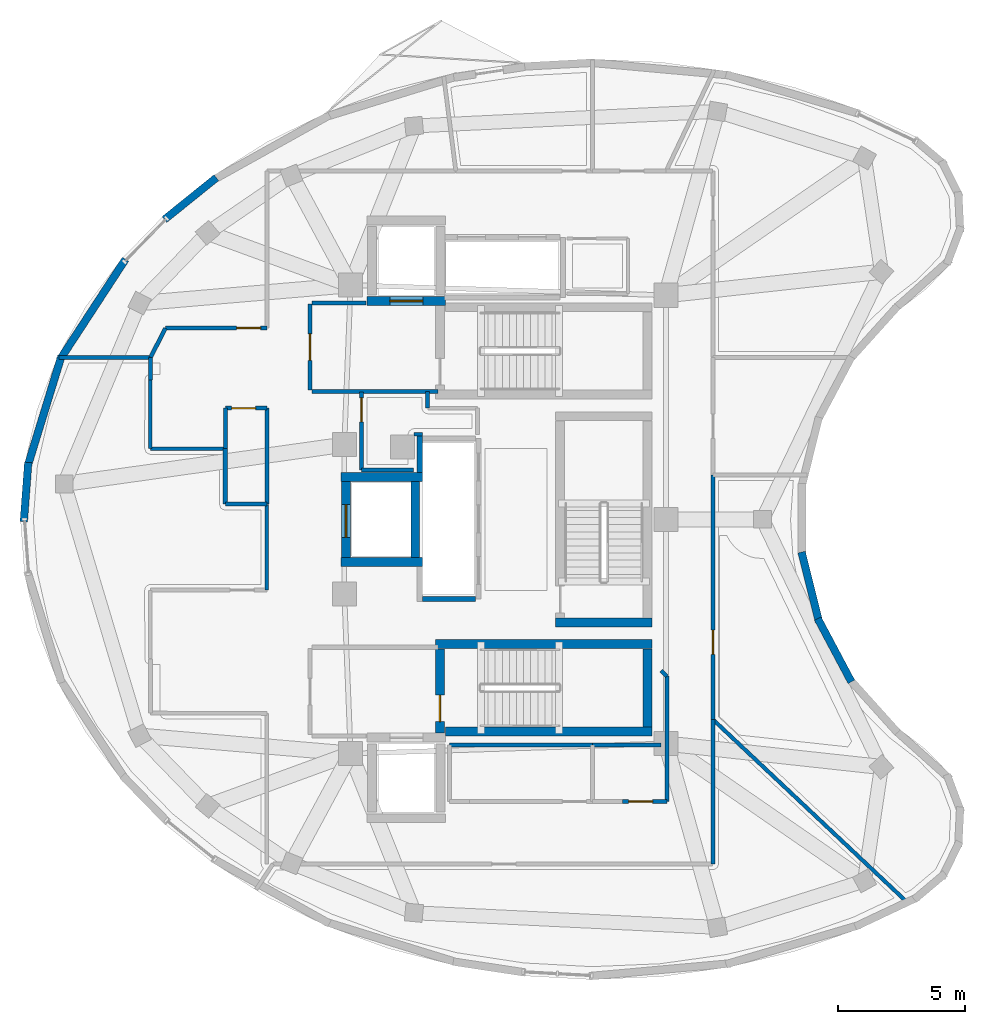
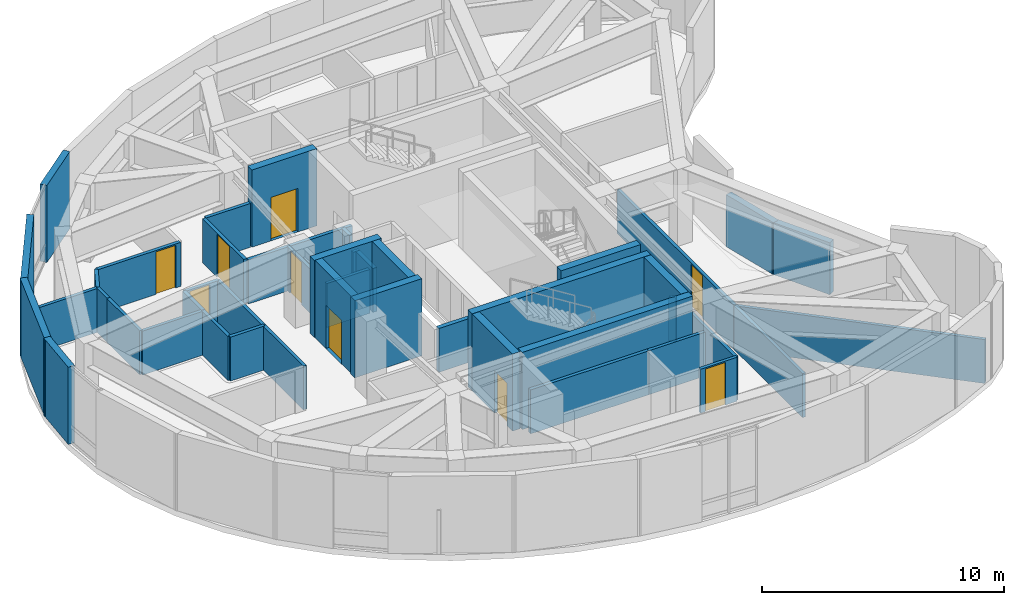
# One storey, part 4 of 8: 45 walls, 9 doors, 9 openings.
"""IFC4 building model written with IfcOpenShell, lengths in metres."""

from ifc_helpers import new_model, si_unit, direction, frame, frame_2d, origin, place, context, subcontext, project, spatial, rectangle, extrude, material, layer, layer_set, type_object, element, fill, save


model = new_model("IFC4")

# Units and contexts
model_context = context("Model", 3, precision=1e-05, world=origin(), true_north=direction((0.0, 1.0)))
body_context = subcontext(model_context, "Body", "Model", "MODEL_VIEW")
ifc_project = project(units=[si_unit("LENGTHUNIT", "METRE"), si_unit("AREAUNIT", "SQUARE_METRE"), si_unit("VOLUMEUNIT", "CUBIC_METRE"), si_unit("PLANEANGLEUNIT", "RADIAN"), si_unit("MASSUNIT", "GRAM", prefix="KILO")], contexts=[model_context])

# Site, building, storey
site_placement = place(None, origin())
site = spatial("IfcSite", under=ifc_project, at=site_placement, CompositionType="ELEMENT")
building_placement = place(site_placement, origin())
building = spatial("IfcBuilding", under=site, at=building_placement, Name="Korentha Bioscience Tower", CompositionType="ELEMENT")
storey_placement = place(building_placement, frame((0.0, 0.0, 314.39990234375)))
storey = spatial("IfcBuildingStorey", under=building, at=storey_placement, Name="L72", CompositionType="ELEMENT", Elevation=314.39990234375)

# Wall, opening, door
ifc_material_1 = material(Name="Double-Stud Acoustic Gypsum", Category="gypsum")
ifc_layer_1 = layer(ifc_material_1, 0.14990234375, Name="Double-Stud Acoustic Gypsum")
ifc_layer_set_1 = layer_set([ifc_layer_1], Name="Double-Stud Acoustic Gypsum (IW-L150)")
wall_type_1 = type_object("IfcWallType", Name="Acoustic Laboratory Partition Wall 150", PredefinedType="PARTITIONING", material=ifc_layer_set_1)
wall_1_placement = place(storey_placement, frame((37.590087890625, 15.860107421875, 0.0), z_axis=(0.0, 0.0, 1.0), x_axis=(-1.0, 0.0, 0.0)))
wall_1 = element("IfcWall", 1, at=wall_1_placement, inside=storey, type_object=wall_type_1, Name="L72 Principal Investigator Office 04 Entrance Wall", PredefinedType="PARTITIONING", context=body_context, shape_type="SweptSolid", body=[
    extrude(rectangle(XDim=1.75, YDim=0.14990234375, at=frame_2d((0.875, 0.0))), origin(), (0.0, 0.0, 1.0), 2.22021484375),
])
opening_1_placement = place(wall_1_placement, frame((0.56005859375, 0.0, 0.0)))
opening_1 = element("IfcOpeningElement", 2, at=opening_1_placement, cuts=wall_1, Name="Opening ID-10R", PredefinedType="OPENING", context=body_context, shape_type="SweptSolid", body=[
    extrude(rectangle(XDim=0.949951171875, YDim=2.14990234375, at=frame_2d((0.47509765625, 1.074951171875))), frame((0.0, 0.08984375, 0.0), z_axis=(0.0, -1.0, 0.0), x_axis=(1.0, 0.0, 0.0)), (0.0, 0.0, 1.0), 0.1796875),
])
ifc_material_2 = material(Name="Phenolic Laminate Timber Core", Category="wood")
door_type_1 = type_object("IfcDoorType", Name="Laboratory Single Leaf Door 950x2150 Right", OperationType="SINGLE_SWING_RIGHT", PredefinedType="DOOR", material=ifc_material_2)
door_1_placement = place(opening_1_placement, origin())
door_1 = element("IfcDoor", 3, at=door_1_placement, inside=storey, type_object=door_type_1, Name="L72 Principal Investigator Office 04 Door", OperationType="SINGLE_SWING_RIGHT", OverallHeight=2.14990234375, OverallWidth=0.949951171875, PredefinedType="DOOR", context=body_context, shape_type="SweptSolid", body=[
    extrude(rectangle(XDim=0.949951171875, YDim=2.14990234375, at=frame_2d((0.47509765625, 1.074951171875))), frame((0.0, 0.02490234375, 0.0), z_axis=(0.0, -1.0, 0.0), x_axis=(1.0, 0.0, 0.0)), (0.0, 0.0, 1.0), 0.050048828125),
])
fill(opening_1, door_1)

wall_2_placement = place(storey_placement, frame((39.409912109375, 19.10498046875, 0.0), z_axis=(0.0, 0.0, 1.0), x_axis=(0.0, 1.0, 0.0)))
wall_2 = element("IfcWall", 4, at=wall_2_placement, inside=storey, type_object=wall_type_1, Name="L72 Sky Horizon Tasting Cafe & Bistro 05 Entrance Wall", PredefinedType="PARTITIONING", context=body_context, shape_type="SweptSolid", body=[
    extrude(rectangle(XDim=9.64306640625, YDim=0.14990234375, at=frame_2d((4.821533203125, 0.0))), origin(), (0.0, 0.0, 1.0), 2.22021484375),
])
opening_2_placement = place(wall_2_placement, frame((2.567138671875, 0.0, 0.0)))
opening_2 = element("IfcOpeningElement", 5, at=opening_2_placement, cuts=wall_2, Name="Opening ID-10L", PredefinedType="OPENING", context=body_context, shape_type="SweptSolid", body=[
    extrude(rectangle(XDim=0.949951171875, YDim=2.14990234375, at=frame_2d((0.47509765625, 1.074951171875))), frame((0.0, 0.08984375, 0.0), z_axis=(0.0, -1.0, 0.0), x_axis=(1.0, 0.0, 0.0)), (0.0, 0.0, 1.0), 0.1796875),
])
door_type_2 = type_object("IfcDoorType", Name="Laboratory Single Leaf Door 950x2150 Left", OperationType="SINGLE_SWING_LEFT", PredefinedType="DOOR", material=ifc_material_2)
door_2_placement = place(opening_2_placement, origin())
door_2 = element("IfcDoor", 6, at=door_2_placement, inside=storey, type_object=door_type_2, Name="L72 Sky Horizon Tasting Cafe & Bistro 05 Door", OperationType="SINGLE_SWING_LEFT", OverallHeight=2.14990234375, OverallWidth=0.949951171875, PredefinedType="DOOR", context=body_context, shape_type="SweptSolid", body=[
    extrude(rectangle(XDim=0.949951171875, YDim=2.14990234375, at=frame_2d((0.47509765625, 1.074951171875))), frame((0.0, 0.02490234375, 0.0), z_axis=(0.0, -1.0, 0.0), x_axis=(1.0, 0.0, 0.0)), (0.0, 0.0, 1.0), 0.050048828125),
])
fill(opening_2, door_2)

wall_3_placement = place(storey_placement, frame((25.530029296875, 28.949951171875, 0.0), z_axis=(0.0, 0.0, 1.0), x_axis=(0.0, 1.0, 0.0)))
wall_3 = element("IfcWall", 7, at=wall_3_placement, inside=storey, type_object=wall_type_1, Name="L72 Public Panoramic Observation Deck Gallery 11 Entrance Wall", PredefinedType="PARTITIONING", context=body_context, shape_type="SweptSolid", body=[
    extrude(rectangle(XDim=3.090087890625, YDim=0.14990234375, at=frame_2d((1.544921875, 0.0))), origin(), (0.0, 0.0, 1.0), 2.22021484375),
])
opening_3_placement = place(wall_3_placement, frame((1.89990234375, 0.0, 0.0)))
opening_3 = element("IfcOpeningElement", 8, at=opening_3_placement, cuts=wall_3, Name="Opening ID-10L", PredefinedType="OPENING", context=body_context, shape_type="SweptSolid", body=[
    extrude(rectangle(XDim=0.949951171875, YDim=2.14990234375, at=frame_2d((0.47509765625, 1.074951171875))), frame((0.0, 0.08984375, 0.0), z_axis=(0.0, -1.0, 0.0), x_axis=(1.0, 0.0, 0.0)), (0.0, 0.0, 1.0), 0.1796875),
])
door_3_placement = place(opening_3_placement, origin())
door_3 = element("IfcDoor", 9, at=door_3_placement, inside=storey, type_object=door_type_2, Name="L72 Public Panoramic Observation Deck Gallery 11 Door", OperationType="SINGLE_SWING_LEFT", OverallHeight=2.14990234375, OverallWidth=0.949951171875, PredefinedType="DOOR", context=body_context, shape_type="SweptSolid", body=[
    extrude(rectangle(XDim=0.949951171875, YDim=2.14990234375, at=frame_2d((0.47509765625, 1.074951171875))), frame((0.0, 0.02490234375, 0.0), z_axis=(0.0, -1.0, 0.0), x_axis=(1.0, 0.0, 0.0)), (0.0, 0.0, 1.0), 0.050048828125),
])
fill(opening_3, door_3)

# Walls
wall_4_placement = place(storey_placement, frame((13.577880859375, 33.39794921875, 0.0), z_axis=(0.0, 0.0, 1.0), x_axis=(1.0, 0.0, 0.0)))
element("IfcWall", 10, at=wall_4_placement, inside=storey, type_object=wall_type_1, Name="L72 Interior Partition 020", PredefinedType="PARTITIONING", context=body_context, shape_type="SweptSolid", body=[
    extrude(rectangle(XDim=3.6220703125, YDim=0.14990234375, at=frame_2d((1.81103515625, 0.0))), origin(), (0.0, 0.0, 1.0), 2.22021484375),
])
wall_5_placement = place(storey_placement, frame((17.199951171875, 33.39794921875, 0.0), z_axis=(0.0, 0.0, 1.0), x_axis=(0.0, -1.0, 0.0)))
element("IfcWall", 11, at=wall_5_placement, inside=storey, type_object=wall_type_1, Name="L72 Interior Partition 021", PredefinedType="PARTITIONING", context=body_context, shape_type="SweptSolid", body=[
    extrude(rectangle(XDim=0.887939453125, YDim=0.14990234375, at=frame_2d((0.44384765625, 0.0))), origin(), (0.0, 0.0, 1.0), 2.22021484375),
])
wall_6_placement = place(storey_placement, frame((17.18994140625, 32.5, 0.0), z_axis=(0.0, 0.0, 1.0), x_axis=(0.0, -1.0, 0.0)))
element("IfcWall", 12, at=wall_6_placement, inside=storey, type_object=wall_type_1, Name="L72 Interior Partition 023", PredefinedType="PARTITIONING", context=body_context, shape_type="SweptSolid", body=[
    extrude(rectangle(XDim=2.699951171875, YDim=0.14990234375, at=frame_2d((1.35009765625, 0.0))), origin(), (0.0, 0.0, 1.0), 2.22021484375),
])
wall_7_placement = place(storey_placement, frame((17.199951171875, 29.7900390625, 0.0), z_axis=(0.0, 0.0, 1.0), x_axis=(1.0, 0.0, 0.0)))
element("IfcWall", 13, at=wall_7_placement, inside=storey, type_object=wall_type_1, Name="L72 Interior Partition 024", PredefinedType="PARTITIONING", context=body_context, shape_type="SweptSolid", body=[
    extrude(rectangle(XDim=2.93994140625, YDim=0.14990234375, at=frame_2d((1.469970703125, 0.0))), origin(), (0.0, 0.0, 1.0), 2.22021484375),
])
wall_8_placement = place(storey_placement, frame((21.7900390625, 27.590087890625, 0.0), z_axis=(0.0, 0.0, 1.0), x_axis=(0.0, -1.0, 0.0)))
element("IfcWall", 14, at=wall_8_placement, inside=storey, type_object=wall_type_1, Name="L72 Interior Partition 025", PredefinedType="PARTITIONING", context=body_context, shape_type="SweptSolid", body=[
    extrude(rectangle(XDim=3.380126953125, YDim=0.14990234375, at=frame_2d((1.68994140625, 0.0))), origin(), (0.0, 0.0, 1.0), 2.22021484375),
])
wall_9_placement = place(storey_placement, frame((39.409912109375, 13.39990234375, 0.0), z_axis=(0.0, 0.0, 1.0), x_axis=(0.0, 1.0, 0.0)))
element("IfcWall", 15, at=wall_9_placement, inside=storey, type_object=wall_type_1, Name="L72 Interior Partition 036", PredefinedType="PARTITIONING", context=body_context, shape_type="SweptSolid", body=[
    extrude(rectangle(XDim=5.695068359375, YDim=0.14990234375, at=frame_2d((2.84765625, 0.0))), origin(), (0.0, 0.0, 1.0), 2.22021484375),
])
wall_10_placement = place(storey_placement, frame((39.409912109375, 19.094970703125, 0.0), z_axis=(0.0, 0.0, 1.0), x_axis=(0.728315245979, -0.685242221754, 0.0)))
element("IfcWall", 16, at=wall_10_placement, inside=storey, type_object=wall_type_1, Name="L72 Interior Partition 037", PredefinedType="PARTITIONING", context=body_context, shape_type="SweptSolid", body=[
    extrude(rectangle(XDim=10.63330078125, YDim=0.14990234375, at=frame_2d((5.316650390625, 0.0))), origin(), (0.0, 0.0, 1.0), 2.22021484375),
])
wall_11_placement = place(storey_placement, frame((37.590087890625, 20.807373046875, 0.0), z_axis=(0.0, 0.0, 1.0), x_axis=(0.0, -1.0, 0.0)))
element("IfcWall", 17, at=wall_11_placement, inside=storey, type_object=wall_type_1, Name="L72 Interior Partition 038", PredefinedType="PARTITIONING", context=body_context, shape_type="SweptSolid", body=[
    extrude(rectangle(XDim=4.947265625, YDim=0.14990234375, at=frame_2d((2.4736328125, 0.0))), origin(), (0.0, 0.0, 1.0), 2.22021484375),
])
wall_12_placement = place(storey_placement, frame((34.657958984375, 18.090087890625, 0.0), z_axis=(0.0, 0.0, 1.0), x_axis=(1.0, 0.0, 0.0)))
element("IfcWall", 18, at=wall_12_placement, inside=storey, type_object=wall_type_1, Name="L72 Interior Partition 040", PredefinedType="PARTITIONING", context=body_context, shape_type="SweptSolid", body=[
    extrude(rectangle(XDim=2.692138671875, YDim=0.14990234375, at=frame_2d((1.34619140625, 0.0))), origin(), (0.0, 0.0, 1.0), 2.22021484375),
])
wall_13_placement = place(storey_placement, frame((37.360107421875, 21.023681640625, 0.0), z_axis=(0.0, 0.0, 1.0), x_axis=(0.728426969857, -0.685123455725, 0.0)))
element("IfcWall", 19, at=wall_13_placement, inside=storey, type_object=wall_type_1, Name="L72 Interior Partition 041", PredefinedType="PARTITIONING", context=body_context, shape_type="SweptSolid", body=[
    extrude(rectangle(XDim=0.315673828125, YDim=0.14990234375, at=frame_2d((0.15771484375, 0.0))), origin(), (0.0, 0.0, 1.0), 2.22021484375),
])
wall_14_placement = place(storey_placement, frame((28.139892578125, 32.0400390625, 0.0), z_axis=(0.0, 0.0, 1.0), x_axis=(0.0, -1.0, 0.0)))
element("IfcWall", 20, at=wall_14_placement, inside=storey, type_object=wall_type_1, Name="L72 Interior Partition 051", PredefinedType="PARTITIONING", context=body_context, shape_type="SweptSolid", body=[
    extrude(rectangle(XDim=0.64013671875, YDim=0.14990234375, at=frame_2d((0.320068359375, 0.0))), origin(), (0.0, 0.0, 1.0), 2.22021484375),
])
wall_15_placement = place(storey_placement, frame((27.93408203125, 30.360107421875, 0.0), z_axis=(0.0, 0.0, 1.0), x_axis=(-1.0, 0.0, 0.0)))
element("IfcWall", 21, at=wall_15_placement, inside=storey, type_object=wall_type_1, Name="L72 Interior Partition 054", PredefinedType="PARTITIONING", context=body_context, shape_type="SweptSolid", body=[
    extrude(rectangle(XDim=0.333984375, YDim=0.14990234375, at=frame_2d((0.1669921875, 0.0))), origin(), (0.0, 0.0, 1.0), 2.22021484375),
])
wall_16_placement = place(storey_placement, frame((27.590087890625, 28.949951171875, 0.0), z_axis=(0.0, 0.0, 1.0), x_axis=(-1.0, 0.0, 0.0)))
element("IfcWall", 22, at=wall_16_placement, inside=storey, type_object=wall_type_1, Name="L72 Interior Partition 055", PredefinedType="PARTITIONING", context=body_context, shape_type="SweptSolid", body=[
    extrude(rectangle(XDim=2.06005859375, YDim=0.14990234375, at=frame_2d((1.030029296875, 0.0))), origin(), (0.0, 0.0, 1.0), 2.22021484375),
])

# Wall, opening, door
ifc_material_3 = material(Name="Gypsum-Clad Steel Stud", Category="steel")
ifc_layer_2 = layer(ifc_material_3, 0.159912109375, Name="Gypsum-Clad Steel Stud")
ifc_layer_set_2 = layer_set([ifc_layer_2], Name="Gypsum-Clad Steel Stud (IW-C160)")
wall_type_2 = type_object("IfcWallType", Name="Fire-Rated Corridor Partition Wall 160", PredefinedType="PARTITIONING", material=ifc_layer_set_2)
wall_17_placement = place(storey_placement, frame((23.5, 32.10009765625, 0.0), z_axis=(0.0, 0.0, 1.0), x_axis=(0.0, 1.0, 0.0)))
wall_17 = element("IfcWall", 23, at=wall_17_placement, inside=storey, type_object=wall_type_2, Name="L72 FFLN-CW Rated Enclosure Wall", PredefinedType="PARTITIONING", context=body_context, shape_type="SweptSolid", body=[
    extrude(rectangle(XDim=3.39990234375, YDim=0.159912109375, at=frame_2d((1.699951171875, 0.0))), origin(), (0.0, 0.0, 1.0), 2.22021484375),
])
opening_4_placement = place(wall_17_placement, frame((1.175048828125, 0.0, 0.0)))
opening_4 = element("IfcOpeningElement", 24, at=opening_4_placement, cuts=wall_17, Name="Opening FD-90L", PredefinedType="OPENING", context=body_context, shape_type="SweptSolid", body=[
    extrude(rectangle(XDim=1.050048828125, YDim=2.14990234375, at=frame_2d((0.52490234375, 1.074951171875))), frame((0.0, 0.0947265625, 0.0), z_axis=(0.0, -1.0, 0.0), x_axis=(1.0, 0.0, 0.0)), (0.0, 0.0, 1.0), 0.189697265625),
])
ifc_material_4 = material(Name="Powder-Coated Fire-Rated Steel", Category="steel")
door_type_3 = type_object("IfcDoorType", Name="Stairwell Fire Exit Door 1050x2150 Left", OperationType="SINGLE_SWING_LEFT", PredefinedType="DOOR", material=ifc_material_4)
door_4_placement = place(opening_4_placement, origin())
door_4 = element("IfcDoor", 25, at=door_4_placement, inside=storey, type_object=door_type_3, Name="L72 North Firefighting Lobby Door", OperationType="SINGLE_SWING_LEFT", OverallHeight=2.14990234375, OverallWidth=1.050048828125, PredefinedType="DOOR", context=body_context, shape_type="SweptSolid", body=[
    extrude(rectangle(XDim=1.050048828125, YDim=2.14990234375, at=frame_2d((0.52490234375, 1.074951171875))), frame((0.0, 0.02490234375, 0.0), z_axis=(0.0, -1.0, 0.0), x_axis=(1.0, 0.0, 0.0)), (0.0, 0.0, 1.0), 0.050048828125),
])
fill(opening_4, door_4)

# Walls
wall_18_placement = place(storey_placement, frame((23.580078125, 32.050048828125, 0.0), z_axis=(0.0, 0.0, 1.0), x_axis=(1.0, 0.0, 0.0)))
element("IfcWall", 26, at=wall_18_placement, inside=storey, type_object=wall_type_2, Name="L72 Firefighting Lobby Return Wall FFLN-S", PredefinedType="PARTITIONING", context=body_context, shape_type="SweptSolid", body=[
    extrude(rectangle(XDim=4.969970703125, YDim=0.159912109375, at=frame_2d((2.48486328125, 0.0))), origin(), (0.0, 0.0, 1.0), 2.22021484375),
])
wall_19_placement = place(storey_placement, frame((23.580078125, 35.550048828125, 0.0), z_axis=(0.0, 0.0, 1.0), x_axis=(1.0, 0.0, 0.0)))
element("IfcWall", 27, at=wall_19_placement, inside=storey, type_object=wall_type_2, Name="L72 Firefighting Lobby Return Wall FFLN-N", PredefinedType="PARTITIONING", context=body_context, shape_type="SweptSolid", body=[
    extrude(rectangle(XDim=2.119873046875, YDim=0.159912109375, at=frame_2d((1.06005859375, 0.0))), origin(), (0.0, 0.0, 1.0), 2.22021484375),
])

# Wall, opening, door
wall_20_placement = place(storey_placement, frame((20.159912109375, 31.389892578125, 0.0), z_axis=(0.0, 0.0, 1.0), x_axis=(1.0, 0.0, 0.0)))
wall_20 = element("IfcWall", 28, at=wall_20_placement, inside=storey, type_object=wall_type_2, Name="L72 Reclaimed Bank-2 Telecoms and Data Store Entrance Wall", PredefinedType="PARTITIONING", context=body_context, shape_type="SweptSolid", body=[
    extrude(rectangle(XDim=1.630126953125, YDim=0.159912109375, at=frame_2d((0.81494140625, 0.0))), origin(), (0.0, 0.0, 1.0), 2.22021484375),
])
opening_5_placement = place(wall_20_placement, frame((0.239990234375, 0.0, 0.0)))
opening_5 = element("IfcOpeningElement", 29, at=opening_5_placement, cuts=wall_20, Name="Opening ID-10R", PredefinedType="OPENING", context=body_context, shape_type="SweptSolid", body=[
    extrude(rectangle(XDim=0.949951171875, YDim=2.14990234375, at=frame_2d((0.47509765625, 1.074951171875))), frame((0.0, 0.0947265625, 0.0), z_axis=(0.0, -1.0, 0.0), x_axis=(1.0, 0.0, 0.0)), (0.0, 0.0, 1.0), 0.189697265625),
])
door_5_placement = place(opening_5_placement, origin())
door_5 = element("IfcDoor", 30, at=door_5_placement, inside=storey, type_object=door_type_1, Name="L72 Reclaimed Bank-2 Telecoms and Data Store Door", OperationType="SINGLE_SWING_RIGHT", OverallHeight=2.14990234375, OverallWidth=0.949951171875, PredefinedType="DOOR", context=body_context, shape_type="SweptSolid", body=[
    extrude(rectangle(XDim=0.949951171875, YDim=2.14990234375, at=frame_2d((0.47509765625, 1.074951171875))), frame((0.0, 0.02490234375, 0.0), z_axis=(0.0, -1.0, 0.0), x_axis=(1.0, 0.0, 0.0)), (0.0, 0.0, 1.0), 0.050048828125),
])
fill(opening_5, door_5)

wall_21_placement = place(storey_placement, frame((21.7900390625, 34.56005859375, 0.0), z_axis=(0.0, 0.0, 1.0), x_axis=(-1.0, 0.0, 0.0)))
wall_21 = element("IfcWall", 31, at=wall_21_placement, inside=storey, type_object=wall_type_2, Name="L72 Observation Deck Chair Store 10 Entrance Wall", PredefinedType="PARTITIONING", context=body_context, shape_type="SweptSolid", body=[
    extrude(rectangle(XDim=3.989990234375, YDim=0.159912109375, at=frame_2d((1.9951171875, 0.0))), origin(), (0.0, 0.0, 1.0), 2.22021484375),
])
opening_6_placement = place(wall_21_placement, frame((0.239990234375, 0.0, 0.0)))
opening_6 = element("IfcOpeningElement", 32, at=opening_6_placement, cuts=wall_21, Name="Opening ID-10R", PredefinedType="OPENING", context=body_context, shape_type="SweptSolid", body=[
    extrude(rectangle(XDim=0.949951171875, YDim=2.14990234375, at=frame_2d((0.47509765625, 1.074951171875))), frame((0.0, 0.0947265625, 0.0), z_axis=(0.0, -1.0, 0.0), x_axis=(1.0, 0.0, 0.0)), (0.0, 0.0, 1.0), 0.189697265625),
])
door_6_placement = place(opening_6_placement, origin())
door_6 = element("IfcDoor", 33, at=door_6_placement, inside=storey, type_object=door_type_1, Name="L72 Observation Deck Chair Store 10 Door", OperationType="SINGLE_SWING_RIGHT", OverallHeight=2.14990234375, OverallWidth=0.949951171875, PredefinedType="DOOR", context=body_context, shape_type="SweptSolid", body=[
    extrude(rectangle(XDim=0.949951171875, YDim=2.14990234375, at=frame_2d((0.47509765625, 1.074951171875))), frame((0.0, 0.02490234375, 0.0), z_axis=(0.0, -1.0, 0.0), x_axis=(1.0, 0.0, 0.0)), (0.0, 0.0, 1.0), 0.050048828125),
])
fill(opening_6, door_6)

# Walls
wall_22_placement = place(storey_placement, frame((20.14990234375, 27.60009765625, 0.0), z_axis=(0.0, 0.0, 1.0), x_axis=(0.0, 1.0, 0.0)))
element("IfcWall", 34, at=wall_22_placement, inside=storey, type_object=wall_type_2, Name="L72 Interior Partition 016", PredefinedType="PARTITIONING", context=body_context, shape_type="SweptSolid", body=[
    extrude(rectangle(XDim=2.18994140625, YDim=0.159912109375, at=frame_2d((1.094970703125, 0.0))), origin(), (0.0, 0.0, 1.0), 2.22021484375),
])
wall_23_placement = place(storey_placement, frame((20.159912109375, 29.800048828125, 0.0), z_axis=(0.0, 0.0, 1.0), x_axis=(0.0, 1.0, 0.0)))
element("IfcWall", 35, at=wall_23_placement, inside=storey, type_object=wall_type_2, Name="L72 Interior Partition 017", PredefinedType="PARTITIONING", context=body_context, shape_type="SweptSolid", body=[
    extrude(rectangle(XDim=1.58984375, YDim=0.159912109375, at=frame_2d((0.794921875, 0.0))), origin(), (0.0, 0.0, 1.0), 2.22021484375),
])
wall_24_placement = place(storey_placement, frame((21.7900390625, 31.389892578125, 0.0), z_axis=(0.0, 0.0, 1.0), x_axis=(0.0, -1.0, 0.0)))
element("IfcWall", 36, at=wall_24_placement, inside=storey, type_object=wall_type_2, Name="L72 Interior Partition 018", PredefinedType="PARTITIONING", context=body_context, shape_type="SweptSolid", body=[
    extrude(rectangle(XDim=3.789794921875, YDim=0.159912109375, at=frame_2d((1.89501953125, 0.0))), origin(), (0.0, 0.0, 1.0), 2.22021484375),
])
wall_25_placement = place(storey_placement, frame((21.7900390625, 27.60009765625, 0.0), z_axis=(0.0, 0.0, 1.0), x_axis=(-1.0, 0.0, 0.0)))
element("IfcWall", 37, at=wall_25_placement, inside=storey, type_object=wall_type_2, Name="L72 Interior Partition 019", PredefinedType="PARTITIONING", context=body_context, shape_type="SweptSolid", body=[
    extrude(rectangle(XDim=1.64013671875, YDim=0.159912109375, at=frame_2d((0.820068359375, 0.0))), origin(), (0.0, 0.0, 1.0), 2.22021484375),
])
wall_26_placement = place(storey_placement, frame((29.0, 18.090087890625, 0.0), z_axis=(0.0, 0.0, 1.0), x_axis=(1.0, 0.0, 0.0)))
element("IfcWall", 38, at=wall_26_placement, inside=storey, type_object=wall_type_2, Name="L72 Interior Partition 032", PredefinedType="PARTITIONING", context=body_context, shape_type="SweptSolid", body=[
    extrude(rectangle(XDim=5.64794921875, YDim=0.159912109375, at=frame_2d((2.823974609375, 0.0))), origin(), (0.0, 0.0, 1.0), 2.22021484375),
])
wall_27_placement = place(storey_placement, frame((17.7900390625, 34.550048828125, 0.0), z_axis=(0.0, 0.0, 1.0), x_axis=(-0.455868581402, -0.890047097906, 0.0)))
element("IfcWall", 39, at=wall_27_placement, inside=storey, type_object=wall_type_2, Name="L72 Interior Partition 050", PredefinedType="PARTITIONING", context=body_context, shape_type="SweptSolid", body=[
    extrude(rectangle(XDim=1.29443359375, YDim=0.159912109375, at=frame_2d((0.647216796875, 0.0))), origin(), (0.0, 0.0, 1.0), 2.22021484375),
])
ifc_material_5 = material(Name="Honed Limestone Precast Concrete C40", Category="masonry")
ifc_layer_3 = layer(ifc_material_5, 0.300048828125, Name="Honed Limestone Precast Concrete C40")
ifc_layer_set_3 = layer_set([ifc_layer_3], Name="Honed Limestone Precast Concrete C40 (EW-ST300)")
wall_type_3 = type_object("IfcWallType", Name="Honed Limestone Cavity Spandrel Wall 300", PredefinedType="STANDARD", material=ifc_layer_set_3)
wall_28_placement = place(storey_placement, frame((19.7998046875, 40.49267578125, 0.0), z_axis=(0.0, 0.0, 1.0), x_axis=(-0.778800498168, -0.627271698751, 0.0)))
element("IfcWall", 40, at=wall_28_placement, inside=storey, type_object=wall_type_3, Name="L72 Limestone Perimeter Closure Wall 12", PredefinedType="STANDARD", context=body_context, shape_type="SweptSolid", body=[
    extrude(rectangle(XDim=2.631103515625, YDim=0.300048828125, at=frame_2d((1.3154296875, 0.0))), origin(), (0.0, 0.0, 1.0), 3.900146484375),
])
wall_29_placement = place(storey_placement, frame((16.20849609375, 37.2685546875, 0.0), z_axis=(0.0, 0.0, 1.0), x_axis=(-0.546723072071, -0.837313491152, 0.0)))
element("IfcWall", 41, at=wall_29_placement, inside=storey, type_object=wall_type_3, Name="L72 Limestone Perimeter Closure Wall 14", PredefinedType="STANDARD", context=body_context, shape_type="SweptSolid", body=[
    extrude(rectangle(XDim=4.775390625, YDim=0.300048828125, at=frame_2d((2.3876953125, 0.0))), origin(), (0.0, 0.0, 1.0), 3.900146484375),
])
wall_30_placement = place(storey_placement, frame((13.681396484375, 33.448974609375, 0.0), z_axis=(0.0, 0.0, 1.0), x_axis=(-0.293311854667, -0.956016817797, 0.0)))
element("IfcWall", 42, at=wall_30_placement, inside=storey, type_object=wall_type_3, Name="L72 Limestone Perimeter Closure Wall 16", PredefinedType="STANDARD", context=body_context, shape_type="SweptSolid", body=[
    extrude(rectangle(XDim=4.5888671875, YDim=0.300048828125, at=frame_2d((2.29443359375, 0.0))), origin(), (0.0, 0.0, 1.0), 3.900146484375),
])
wall_31_placement = place(storey_placement, frame((12.37060546875, 29.248779296875, 0.0), z_axis=(0.0, 0.0, 1.0), x_axis=(-0.075040925575, -0.997180454827, 0.0)))
element("IfcWall", 43, at=wall_31_placement, inside=storey, type_object=wall_type_3, Name="L72 Limestone Perimeter Closure Wall 18", PredefinedType="STANDARD", context=body_context, shape_type="SweptSolid", body=[
    extrude(rectangle(XDim=2.345703125, YDim=0.300048828125, at=frame_2d((1.1728515625, 0.0))), origin(), (0.0, 0.0, 1.0), 3.900146484375),
])
for number, where, z_axis, x_axis, name in (
    (44, (44.876708984375, 20.583740234375, 0.0), (0.0, 0.0, 1.0), (-0.469445489529, 0.882961455761, 0.0), "L72 Limestone Perimeter Closure Wall 45"),
    (45, (43.593505859375, 22.96484375, 0.0), (0.0, 0.0, 1.0), (-0.241926331659, 0.970294620231, 0.0), "L72 Limestone Perimeter Closure Wall 47"),
):
    element("IfcWall", number, at=place(storey_placement, frame(where, z_axis=z_axis, x_axis=x_axis)), inside=storey, type_object=wall_type_3, Name=name, PredefinedType="STANDARD", context=body_context, shape_type="SweptSolid", body=[
        extrude(rectangle(XDim=2.82861328125, YDim=0.300048828125, at=frame_2d((1.414306640625, 0.0))), origin(), (0.0, 0.0, 1.0), 2.625),
    ])
ifc_material_6 = material(Name="Autoclaved Aerated Concrete Block C25", Category="concrete")
ifc_layer_4 = layer(ifc_material_6, 0.199951171875, Name="Autoclaved Aerated Concrete Block C25")
ifc_layer_set_4 = layer_set([ifc_layer_4], Name="Autoclaved Aerated Concrete Block C25 (IW-S200)")
wall_type_4 = type_object("IfcWallType", Name="Lift and Riser Shaft Enclosure Wall 200", PredefinedType="PARTITIONING", material=ifc_layer_set_4)
wall_32_placement = place(storey_placement, frame((27.830078125, 28.85888671875, 0.0), z_axis=(0.0, 0.0, 1.0), x_axis=(0.0, 1.0, 0.0)))
element("IfcWall", 46, at=wall_32_placement, inside=storey, type_object=wall_type_4, Name="L72 Lift Bank HIGH Shaft Wall -XN", PredefinedType="PARTITIONING", context=body_context, shape_type="SweptSolid", body=[
    extrude(rectangle(XDim=1.441162109375, YDim=0.199951171875, at=frame_2d((0.720703125, 0.0))), origin(), (0.0, 0.0, 1.0), 2.22021484375),
])
wall_33_placement = place(storey_placement, frame((27.93408203125, 23.85009765625, 0.0), z_axis=(0.0, 0.0, 1.0), x_axis=(1.0, 0.0, 0.0)))
element("IfcWall", 47, at=wall_33_placement, inside=storey, type_object=wall_type_4, Name="L72 Lift Bank HIGH Shaft Wall -Y", PredefinedType="PARTITIONING", context=body_context, shape_type="SweptSolid", body=[
    extrude(rectangle(XDim=2.095947265625, YDim=0.199951171875, at=frame_2d((1.0478515625, 0.0))), origin(), (0.0, 0.0, 1.0), 2.22021484375),
])
ifc_material_7 = material(Name="Concrete C50", Category="concrete")
ifc_layer_5 = layer(ifc_material_7, 0.35009765625, Name="Concrete C50")
ifc_layer_set_5 = layer_set([ifc_layer_5], Name="Concrete C50 (CW-C50)")
wall_type_5 = type_object("IfcWallType", Name="Upper Core Shear Wall 350", PredefinedType="SHEAR", material=ifc_layer_set_5)
wall_34_placement = place(storey_placement, frame((28.85205078125, 18.625, 0.0), z_axis=(0.0, 0.0, 1.0), x_axis=(1.0, 0.0, 0.0)))
element("IfcWall", 48, at=wall_34_placement, inside=storey, type_object=wall_type_5, Name="L72 Core Shear Wall ST2-S", PredefinedType="SHEAR", context=body_context, shape_type="SweptSolid", body=[
    extrude(rectangle(XDim=8.14794921875, YDim=0.35009765625, at=frame_2d((4.073974609375, 0.0))), origin(), (0.0, 0.0, 1.0), 3.900146484375),
])
wall_35_placement = place(storey_placement, frame((28.449951171875, 22.074951171875, 0.0), z_axis=(0.0, 0.0, 1.0), x_axis=(1.0, 0.0, 0.0)))
element("IfcWall", 49, at=wall_35_placement, inside=storey, type_object=wall_type_5, Name="L72 Core Shear Wall ST2-N", PredefinedType="SHEAR", context=body_context, shape_type="SweptSolid", body=[
    extrude(rectangle(XDim=8.550048828125, YDim=0.35009765625, at=frame_2d((4.27490234375, 0.0))), origin(), (0.0, 0.0, 1.0), 3.900146484375),
])
wall_36_placement = place(storey_placement, frame((36.824951171875, 18.81005859375, 0.0), z_axis=(0.0, 0.0, 1.0), x_axis=(0.0, 1.0, 0.0)))
element("IfcWall", 50, at=wall_36_placement, inside=storey, type_object=wall_type_5, Name="L72 Core Shear Wall ST2-E", PredefinedType="SHEAR", context=body_context, shape_type="SweptSolid", body=[
    extrude(rectangle(XDim=3.079833984375, YDim=0.35009765625, at=frame_2d((1.5400390625, 0.0))), origin(), (0.0, 0.0, 1.0), 3.900146484375),
])

# Wall, opening, door
wall_37_placement = place(storey_placement, frame((28.625, 18.556884765625, 0.0), z_axis=(0.0, 0.0, 1.0), x_axis=(0.0, 1.0, 0.0)))
wall_37 = element("IfcWall", 51, at=wall_37_placement, inside=storey, type_object=wall_type_5, Name="L72 Core Shear Wall ST2-W", PredefinedType="SHEAR", context=body_context, shape_type="SweptSolid", body=[
    extrude(rectangle(XDim=3.3330078125, YDim=0.35009765625, at=frame_2d((1.66650390625, 0.0))), origin(), (0.0, 0.0, 1.0), 3.900146484375),
])
opening_7_placement = place(wall_37_placement, frame((0.452880859375, 0.0, 0.0)))
opening_7 = element("IfcOpeningElement", 52, at=opening_7_placement, cuts=wall_37, Name="Opening FD-90L", PredefinedType="OPENING", context=body_context, shape_type="SweptSolid", body=[
    extrude(rectangle(XDim=1.050048828125, YDim=2.14990234375, at=frame_2d((0.52490234375, 1.074951171875))), frame((0.0, 0.18994140625, 0.0), z_axis=(0.0, -1.0, 0.0), x_axis=(1.0, 0.0, 0.0)), (0.0, 0.0, 1.0), 0.3798828125),
])
door_7_placement = place(opening_7_placement, origin())
door_7 = element("IfcDoor", 53, at=door_7_placement, inside=storey, type_object=door_type_3, Name="L72 ST-2 Fire Exit Stair Door", OperationType="SINGLE_SWING_LEFT", OverallHeight=2.14990234375, OverallWidth=1.050048828125, PredefinedType="DOOR", context=body_context, shape_type="SweptSolid", body=[
    extrude(rectangle(XDim=1.050048828125, YDim=2.14990234375, at=frame_2d((0.52490234375, 1.074951171875))), frame((0.0, 0.02490234375, 0.0), z_axis=(0.0, -1.0, 0.0), x_axis=(1.0, 0.0, 0.0)), (0.0, 0.0, 1.0), 0.050048828125),
])
fill(opening_7, door_7)

# Wall
wall_38_placement = place(storey_placement, frame((33.199951171875, 22.925048828125, 0.0), z_axis=(0.0, 0.0, 1.0), x_axis=(1.0, 0.0, 0.0)))
element("IfcWall", 54, at=wall_38_placement, inside=storey, type_object=wall_type_5, Name="L72 Core Shear Wall ST3-S", PredefinedType="SHEAR", context=body_context, shape_type="SweptSolid", body=[
    extrude(rectangle(XDim=3.800048828125, YDim=0.35009765625, at=frame_2d((1.89990234375, 0.0))), origin(), (0.0, 0.0, 1.0), 3.900146484375),
])

# Wall, opening, door
wall_39_placement = place(storey_placement, frame((25.75, 35.6201171875, 0.0), z_axis=(0.0, 0.0, 1.0), x_axis=(1.0, 0.0, 0.0)))
wall_39 = element("IfcWall", 55, at=wall_39_placement, inside=storey, type_object=wall_type_5, Name="L72 Core Shear Wall FFL2-S", PredefinedType="SHEAR", context=body_context, shape_type="SweptSolid", body=[
    extrude(rectangle(XDim=3.10009765625, YDim=0.35009765625, at=frame_2d((1.550048828125, 0.0))), origin(), (0.0, 0.0, 1.0), 3.900146484375),
])
opening_8_placement = place(wall_39_placement, frame((0.89990234375, 0.0, 0.0)))
opening_8 = element("IfcOpeningElement", 56, at=opening_8_placement, cuts=wall_39, Name="Opening LD-13", PredefinedType="OPENING", context=body_context, shape_type="SweptSolid", body=[
    extrude(rectangle(XDim=1.300048828125, YDim=2.199951171875, at=frame_2d((0.64990234375, 1.10009765625))), frame((0.0, 0.18994140625, 0.0), z_axis=(0.0, -1.0, 0.0), x_axis=(1.0, 0.0, 0.0)), (0.0, 0.0, 1.0), 0.3798828125),
])
ifc_material_8 = material(Name="Brushed Stainless Steel 316", Category="steel")
door_type_4 = type_object("IfcDoorType", Name="Service & Firefighting Lift Landing Door 1300x2300", OperationType="DOUBLE_DOOR_SLIDING", PredefinedType="DOOR", material=ifc_material_8)
door_8_placement = place(opening_8_placement, origin())
door_8 = element("IfcDoor", 57, at=door_8_placement, inside=storey, type_object=door_type_4, Name="L72 FFL-2 Sliding Lift Landing Door", OperationType="DOUBLE_DOOR_SLIDING", OverallHeight=2.199951171875, OverallWidth=1.300048828125, PredefinedType="DOOR", context=body_context, shape_type="SweptSolid", body=[
    extrude(rectangle(XDim=1.300048828125, YDim=2.199951171875, at=frame_2d((0.64990234375, 1.10009765625))), frame((0.0, 0.02490234375, 0.0), z_axis=(0.0, -1.0, 0.0), x_axis=(1.0, 0.0, 0.0)), (0.0, 0.0, 1.0), 0.050048828125),
])
fill(opening_8, door_8)

# Walls
for number, where, z_axis, x_axis, name in (
    (58, (24.719970703125, 28.679931640625, 0.0), (0.0, 0.0, 1.0), (1.0, 0.0, 0.0), "L72 Core Shear Wall SVL1-N"),
    (59, (24.719970703125, 25.320068359375, 0.0), (0.0, 0.0, 1.0), (1.0, 0.0, 0.0), "L72 Core Shear Wall SVL1-S"),
):
    element("IfcWall", number, at=place(storey_placement, frame(where, z_axis=z_axis, x_axis=x_axis)), inside=storey, type_object=wall_type_5, Name=name, PredefinedType="SHEAR", context=body_context, shape_type="SweptSolid", body=[
        extrude(rectangle(XDim=3.2099609375, YDim=0.35009765625, at=frame_2d((1.60498046875, 0.0))), origin(), (0.0, 0.0, 1.0), 3.900146484375),
    ])

# Wall, opening, door
wall_40_placement = place(storey_placement, frame((24.919921875, 25.4970703125, 0.0), z_axis=(0.0, 0.0, 1.0), x_axis=(0.0, 1.0, 0.0)))
wall_40 = element("IfcWall", 60, at=wall_40_placement, inside=storey, type_object=wall_type_5, Name="L72 Core Shear Wall SVL1-W", PredefinedType="SHEAR", context=body_context, shape_type="SweptSolid", body=[
    extrude(rectangle(XDim=3.005859375, YDim=0.35009765625, at=frame_2d((1.5029296875, 0.0))), origin(), (0.0, 0.0, 1.0), 3.900146484375),
])
opening_9_placement = place(wall_40_placement, frame((0.7900390625, 0.0, 0.0)))
opening_9 = element("IfcOpeningElement", 61, at=opening_9_placement, cuts=wall_40, Name="Opening LD-13", PredefinedType="OPENING", context=body_context, shape_type="SweptSolid", body=[
    extrude(rectangle(XDim=1.300048828125, YDim=2.199951171875, at=frame_2d((0.64990234375, 1.10009765625))), frame((0.0, 0.18994140625, 0.0), z_axis=(0.0, -1.0, 0.0), x_axis=(1.0, 0.0, 0.0)), (0.0, 0.0, 1.0), 0.3798828125),
])
door_9_placement = place(opening_9_placement, origin())
door_9 = element("IfcDoor", 62, at=door_9_placement, inside=storey, type_object=door_type_4, Name="L72 SVL-1 Sliding Lift Landing Door", OperationType="DOUBLE_DOOR_SLIDING", OverallHeight=2.199951171875, OverallWidth=1.300048828125, PredefinedType="DOOR", context=body_context, shape_type="SweptSolid", body=[
    extrude(rectangle(XDim=1.300048828125, YDim=2.199951171875, at=frame_2d((0.64990234375, 1.10009765625))), frame((0.0, 0.02490234375, 0.0), z_axis=(0.0, -1.0, 0.0), x_axis=(1.0, 0.0, 0.0)), (0.0, 0.0, 1.0), 0.050048828125),
])
fill(opening_9, door_9)

# Wall
wall_41_placement = place(storey_placement, frame((27.64990234375, 25.4970703125, 0.0), z_axis=(0.0, 0.0, 1.0), x_axis=(0.0, 1.0, 0.0)))
element("IfcWall", 63, at=wall_41_placement, inside=storey, type_object=wall_type_5, Name="L72 Core Shear Wall SVL1-E", PredefinedType="SHEAR", context=body_context, shape_type="SweptSolid", body=[
    extrude(rectangle(XDim=3.005859375, YDim=0.35009765625, at=frame_2d((1.5029296875, 0.0))), origin(), (0.0, 0.0, 1.0), 3.900146484375),
])

save(model, "model.ifc")
